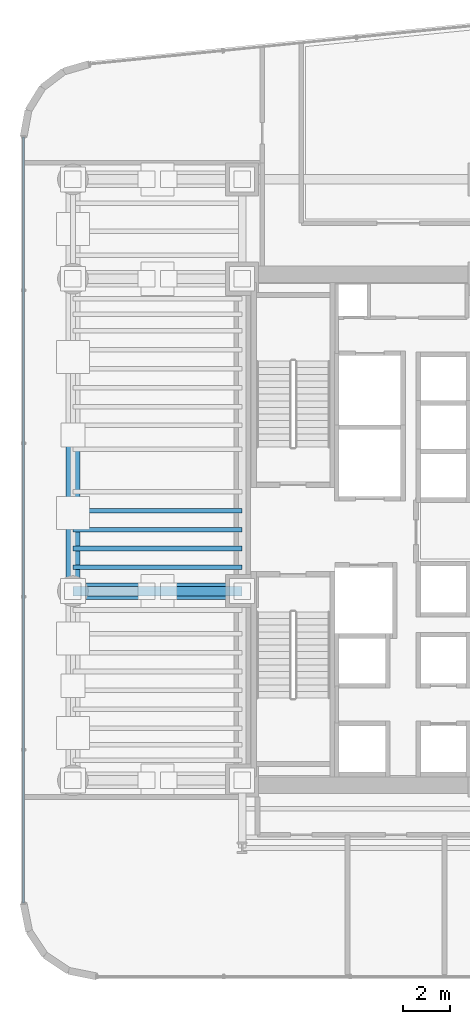
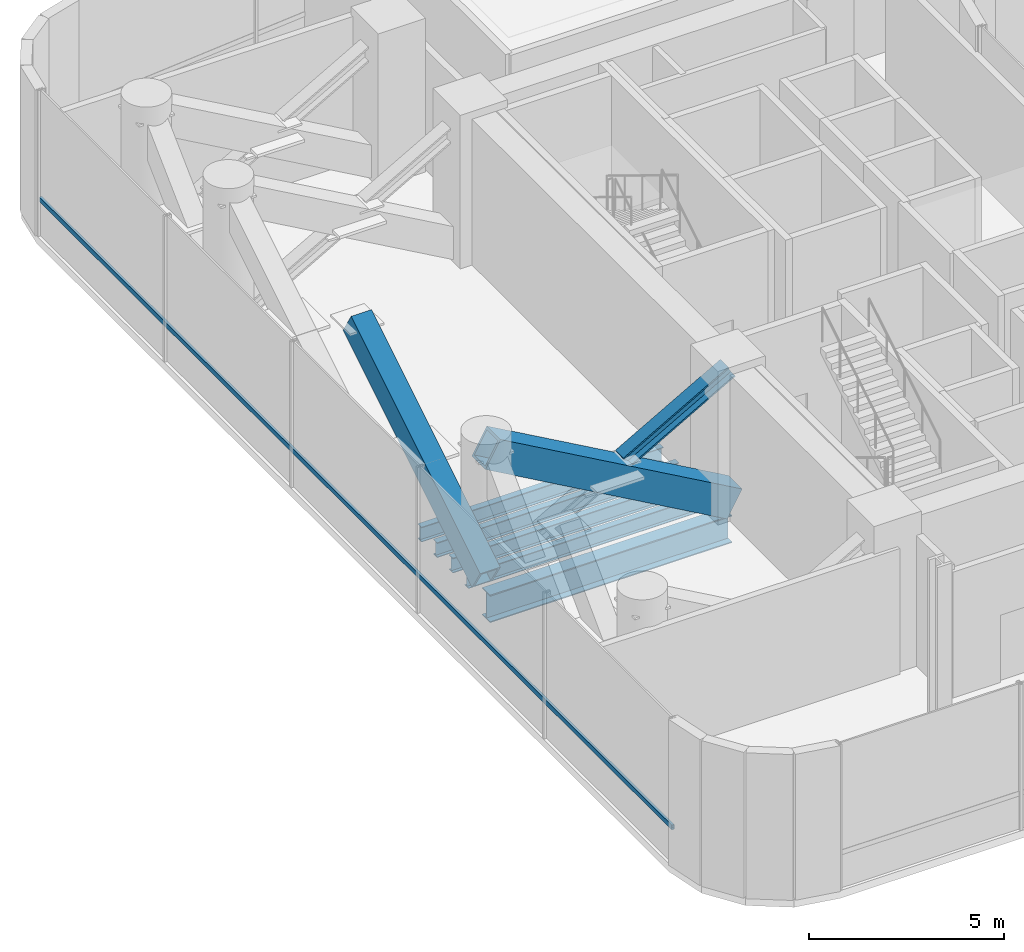
# One storey, part 10 of 39: 5 beams, 4 members, 1 element without a shape of its own.
"""IFC4 building model written with IfcOpenShell, lengths in metres."""

from ifc_helpers import new_model, si_unit, direction, frame, origin, origin_2d, place, context, subcontext, project, spatial, hollow_rectangle, i_section, extrude, source, transform, mapped, material, material_profile, profile_set, type_object, element, aggregate, save


model = new_model("IFC4")

# Units and contexts
model_context = context("Model", 3, precision=1e-05, world=origin(), true_north=direction((0.0, 1.0)))
body_context = subcontext(model_context, "Body", "Model", "MODEL_VIEW")
ifc_project = project(units=[si_unit("LENGTHUNIT", "METRE"), si_unit("AREAUNIT", "SQUARE_METRE"), si_unit("VOLUMEUNIT", "CUBIC_METRE"), si_unit("PLANEANGLEUNIT", "RADIAN"), si_unit("MASSUNIT", "GRAM", prefix="KILO")], contexts=[model_context])

# Site, building, storey
site_placement = place(None, origin())
site = spatial("IfcSite", under=ifc_project, at=site_placement, CompositionType="ELEMENT")
building_placement = place(site_placement, origin())
building = spatial("IfcBuilding", under=site, at=building_placement, Name="Valdorenza Pilgrim Sanctuary Tower", CompositionType="ELEMENT")
storey_placement = place(building_placement, frame((0.0, 0.0, 96.300048828125)))
storey = spatial("IfcBuildingStorey", under=building, at=storey_placement, Name="L24", CompositionType="ELEMENT", Elevation=96.300048828125)

# Beams
ifc_material_1 = material(Name="Steel ASTM A992 Grade 50", Category="steel")
ifc_material_profile_1 = material_profile(ifc_material_1, i_section(OverallWidth=0.193115234375, OverallDepth=0.466064453125, WebThickness=0.011474609375, FlangeThickness=0.01904296875, at=origin_2d()), Name="W18X65")
ifc_profile_set_1 = profile_set([ifc_material_profile_1], Name="Steel ASTM A992 Grade 50")
beam_type_1 = type_object("IfcBeamType", Name="STR-BM-JST-W18A", PredefinedType="JOIST", material=ifc_profile_set_1)
shared_shape_1 = source(origin(), body_context, "Body", "SweptSolid", [
    extrude(i_section(OverallWidth=0.193115234375, OverallDepth=0.466064453125, WebThickness=0.011474609375, FlangeThickness=0.01904296875, at=origin_2d()), origin(), (0.0, 0.0, 1.0), 7.150146484375),
])
for number, where, z_axis, x_axis, name in (
    (1, (-29.800048828125, -1.60009765625, -0.47314453125), (1.0, 0.0, 0.0), (0.0, 1.0, 0.0), "L24 Composite Floor Joist JST-WA-10"),
    (2, (-29.800048828125, -0.800048828125, -0.47314453125), (1.0, 0.0, 0.0), (0.0, 1.0, 0.0), "L24 Composite Floor Joist JST-WA-11"),
    (3, (-29.800048828125, 0.0, -0.47314453125), (1.0, 0.0, 0.0), (0.0, 1.0, 0.0), "L24 Composite Floor Joist JST-WA-12"),
    (4, (-29.800048828125, 0.800048828125, -0.47314453125), (1.0, 0.0, 0.0), (0.0, 1.0, 0.0), "L24 Composite Floor Joist JST-WA-13"),
):
    element("IfcBeam", number, at=place(storey_placement, frame(where, z_axis=z_axis, x_axis=x_axis)), inside=storey, type_object=beam_type_1, Name=name, PredefinedType="JOIST", context=body_context, shape_type="MappedRepresentation", body=[
        mapped(shared_shape_1, transform((0.0, 0.0, 0.0), x_axis=(1.0, 0.0, 0.0), y_axis=(0.0, 1.0, 0.0), z_axis=(0.0, 0.0, 1.0), scale=1.0)),
    ])
ifc_material_profile_2 = material_profile(ifc_material_1, i_section(OverallWidth=0.39990234375, OverallDepth=0.862060546875, WebThickness=0.019775390625, FlangeThickness=0.032470703125, at=origin_2d()), Name="W33X221")
ifc_profile_set_2 = profile_set([ifc_material_profile_2], Name="Steel ASTM A992 Grade 50")
beam_type_2 = type_object("IfcBeamType", Name="STR-BM-GRD-W33", PredefinedType="BEAM", material=ifc_profile_set_2)
shared_shape_2 = source(origin(), body_context, "Body", "SweptSolid", [
    extrude(i_section(OverallWidth=0.39990234375, OverallDepth=0.862060546875, WebThickness=0.019775390625, FlangeThickness=0.032470703125, at=origin_2d()), origin(), (0.0, 0.0, 1.0), 7.150146484375),
])
beam_placement = place(storey_placement, frame((-29.800048828125, -2.60009765625, -0.671142578125), z_axis=(1.0, 0.0, 0.0), x_axis=(0.0, 1.0, 0.0)))
element("IfcBeam", 5, at=beam_placement, inside=storey, type_object=beam_type_2, Name="L24 Floor Girder WA-XW-M0", PredefinedType="BEAM", context=body_context, shape_type="MappedRepresentation", body=[
    mapped(shared_shape_2, transform((0.0, 0.0, 0.0), x_axis=(1.0, 0.0, 0.0), y_axis=(0.0, 1.0, 0.0), z_axis=(0.0, 0.0, 1.0), scale=1.0)),
])

# Members
ifc_material_2 = material(Name="Steel ASTM A572 Grade 42", Category="steel")
ifc_material_profile_3 = material_profile(ifc_material_2, hollow_rectangle(XDim=0.699951171875, YDim=0.89990234375, WallThickness=0.070068359375, at=origin_2d()), Name="BOX 900x700x70")
ifc_profile_set_3 = profile_set([ifc_material_profile_3], Name="Steel ASTM A572 Grade 42")
member_type_1 = type_object("IfcMemberType", Name="STR-MB-OUT-BOX900", PredefinedType="BRACE", material=ifc_profile_set_3)
shared_shape_3 = source(origin(), body_context, "Body", "SweptSolid", [
    extrude(hollow_rectangle(XDim=0.699951171875, YDim=0.89990234375, WallThickness=0.070068359375, at=origin_2d()), origin(), (0.0, 0.0, 1.0), 8.217529296875),
])
member_1_placement = place(storey_placement, frame((-22.64990234375, -2.60009765625, 0.199951171875), z_axis=(-0.870110951325, 0.0, 0.492855894135), x_axis=(0.0, -1.0, 0.0)))
element("IfcMember", 6, at=member_1_placement, inside=storey, type_object=member_type_1, Name="L24 Outrigger Truss Diagonal WA2A", PredefinedType="BRACE", context=body_context, shape_type="MappedRepresentation", body=[
    mapped(shared_shape_3, transform((0.0, 0.0, 0.0), x_axis=(1.0, 0.0, 0.0), y_axis=(0.0, 1.0, 0.0), z_axis=(0.0, 0.0, 1.0), scale=1.0)),
])
ifc_material_profile_4 = material_profile(ifc_material_1, i_section(OverallWidth=0.406005859375, OverallDepth=0.416015625, WebThickness=0.02978515625, FlangeThickness=0.048095703125, at=origin_2d()), Name="W14X257")
ifc_profile_set_4 = profile_set([ifc_material_profile_4], Name="Steel ASTM A992 Grade 50")
member_type_2 = type_object("IfcMemberType", Name="STR-MB-OUT-W257", PredefinedType="BRACE", material=ifc_profile_set_4)
shared_shape_4 = source(origin(), body_context, "Body", "SweptSolid", [
    extrude(i_section(OverallWidth=0.406005859375, OverallDepth=0.416015625, WebThickness=0.02978515625, FlangeThickness=0.048095703125, at=origin_2d()), origin(), (0.0, 0.0, 1.0), 3.572021484375),
])
member_2_placement = place(storey_placement, frame((-22.64990234375, -2.60009765625, 4.25), z_axis=(-0.87011695789, 0.0, -0.492845289714), x_axis=(0.0, -1.0, 0.0)))
element("IfcMember", 7, at=member_2_placement, inside=storey, type_object=member_type_2, Name="L24 Outrigger Truss Counter-Diagonal WA2B Lower Segment", PredefinedType="BRACE", context=body_context, shape_type="MappedRepresentation", body=[
    mapped(shared_shape_4, transform((0.0, 0.0, 0.0), x_axis=(1.0, 0.0, 0.0), y_axis=(0.0, 1.0, 0.0), z_axis=(0.0, 0.0, 1.0), scale=1.0)),
])
ifc_material_profile_5 = material_profile(ifc_material_2, hollow_rectangle(XDim=0.60009765625, YDim=0.800048828125, WallThickness=0.06005859375, at=origin_2d()), Name="BOX 800x600x60")
ifc_profile_set_5 = profile_set([ifc_material_profile_5], Name="Steel ASTM A572 Grade 42")
member_type_3 = type_object("IfcMemberType", Name="STR-MB-BLT-BOX800", PredefinedType="BRACE", material=ifc_profile_set_5)
shared_shape_5 = source(origin(), body_context, "Body", "SweptSolid", [
    extrude(hollow_rectangle(XDim=0.60009765625, YDim=0.800048828125, WallThickness=0.06005859375, at=origin_2d()), origin(), (0.0, 0.0, 1.0), 7.74365234375),
])
member_3_placement = place(storey_placement, frame((-29.800048828125, -2.60009765625, 0.199951171875), z_axis=(0.0, 0.852323367486, 0.523015178783), x_axis=(-1.0, 0.0, 0.0)))
element("IfcMember", 8, at=member_3_placement, inside=storey, type_object=member_type_3, Name="L24 Perimeter Belt Truss Diagonal W3", PredefinedType="BRACE", context=body_context, shape_type="MappedRepresentation", body=[
    mapped(shared_shape_5, transform((0.0, 0.0, 0.0), x_axis=(1.0, 0.0, 0.0), y_axis=(0.0, 1.0, 0.0), z_axis=(0.0, 0.0, 1.0), scale=1.0)),
])

# Curtain wall, member
ifc_material_3 = material(Name="Curtain-wall IGU glazing", Category="glass")
curtain_wall_type = type_object("IfcCurtainWallType", Name="CW-SYS-02", PredefinedType="NOTDEFINED", material=ifc_material_3)
curtain_wall_placement = place(storey_placement, origin())
curtain_wall = element("IfcCurtainWall", 9, at=curtain_wall_placement, inside=storey, type_object=curtain_wall_type, Name="L24 Curtain Wall CW-L24-1-1", PredefinedType="NOTDEFINED")
ifc_material_4 = material(Name="Anodised aluminium AW-6060", Category="aluminium")
ifc_material_profile_6 = material_profile(ifc_material_4, hollow_rectangle(XDim=0.074951171875, YDim=0.14990234375, WallThickness=0.00390625, at=origin_2d()), Name="ALU-T 150x75x4")
ifc_profile_set_6 = profile_set([ifc_material_profile_6], Name="Anodised aluminium AW-6060")
member_type_4 = type_object("IfcMemberType", Name="CW-TRN-02", PredefinedType="USERDEFINED", material=ifc_profile_set_6)
shared_shape_6 = source(origin(), body_context, "Body", "SweptSolid", [
    extrude(hollow_rectangle(XDim=0.074951171875, YDim=0.14990234375, WallThickness=0.00390625, at=origin_2d()), origin(), (0.0, 0.0, 1.0), 32.38330078125),
])
member_4_placement = place(storey_placement, frame((-31.889892578125, -15.789306640625, 1.119873046875), z_axis=(0.0, 1.0, 0.0), x_axis=(-1.0, 0.0, 0.0)))
member_4 = element("IfcMember", 10, at=member_4_placement, type_object=member_type_4, Name="CW-L24-1-1 Transom 1", ObjectType="TRANSOM", PredefinedType="USERDEFINED", context=body_context, shape_type="MappedRepresentation", body=[
    mapped(shared_shape_6, transform((0.0, 0.0, 0.0), x_axis=(1.0, 0.0, 0.0), y_axis=(0.0, 1.0, 0.0), z_axis=(0.0, 0.0, 1.0), scale=1.0)),
])
aggregate(curtain_wall, [member_4])

save(model, "model.ifc")
